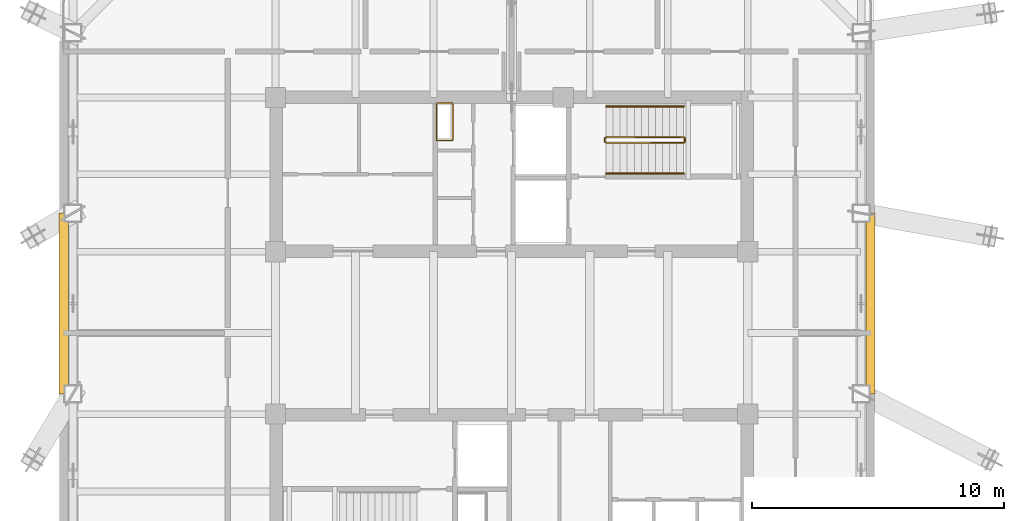
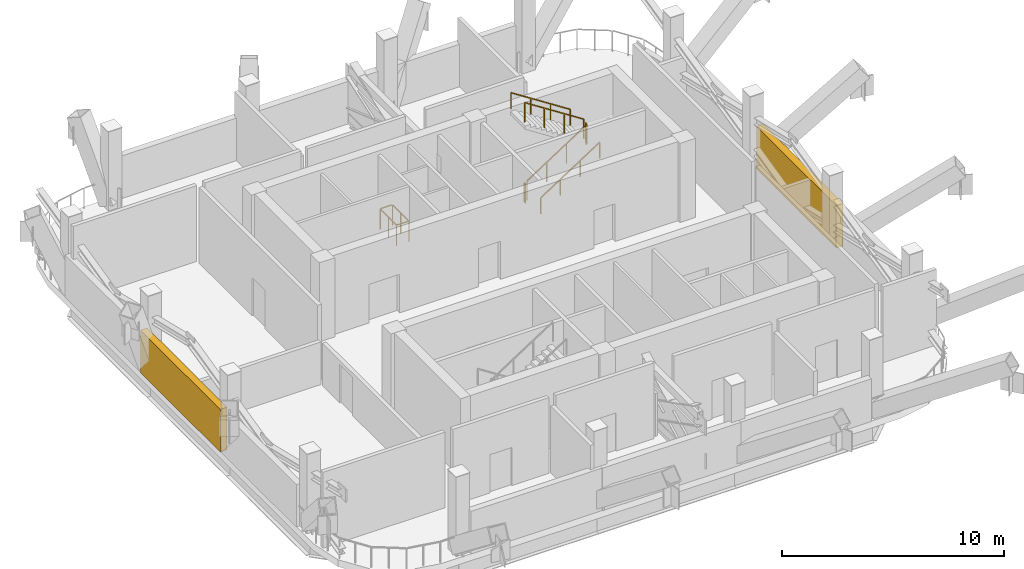
# One storey, part 8 of 9: 7 railings, 2 shading devices.
"""IFC4 building model written with IfcOpenShell, lengths in metres."""

import ifcopenshell
import ifcopenshell.guid

model = None  # the IFC model being written
_history = None  # IfcOwnerHistory: only IFC2X3 demands one
_inside = {}  # id of a spatial element -> (the spatial element, [elements in it])
_under = {}  # id of a project, library or spatial element -> (it, [spatial elements below it])
_declared = {}  # id of a project -> (the project, [libraries it declares])
_typed = {}  # id of a type object -> (the type object, [elements of that type])
_made_of = {}  # id of a material, layer set ... -> (it, [elements and type objects made of it])


def new_model(schema):
    """Start an empty IFC model of exactly this schema.

    Asked for "IFC4X3", IfcOpenShell would pick the latest addendum, in which some entities
    have other attributes; the version numbers below select the first issue.
    IFC2X3 requires an IfcOwnerHistory on every rooted entity: one is made here for all.
    """
    global model, _history
    if schema == "IFC4X3":
        model = ifcopenshell.file(schema_version=(4, 3, 0, 0))
    else:
        model = ifcopenshell.file(schema=schema)
    _inside.clear()
    _under.clear()
    _declared.clear()
    _typed.clear()
    _made_of.clear()
    _history = None
    if model.schema == "IFC2X3":
        org = make("IfcOrganization", Name="unknown")
        user = make(
            "IfcPersonAndOrganization",
            ThePerson=make("IfcPerson", FamilyName="unknown"),
            TheOrganization=org,
        )
        app = make(
            "IfcApplication",
            ApplicationDeveloper=org,
            Version="unknown",
            ApplicationFullName="unknown",
            ApplicationIdentifier="unknown",
        )
        _history = make(
            "IfcOwnerHistory",
            OwningUser=user,
            OwningApplication=app,
            ChangeAction="ADDED",
            CreationDate=0,
        )
    return model


def make(cls, **values):
    """One entity of the class cls with the attributes given. An attribute that is None is left unset."""
    return model.create_entity(
        cls, **{name: value for name, value in values.items() if value is not None}
    )


def rooted(cls, **values):
    """An entity with a GlobalId (a new one), such as an element, a storey or a relation."""
    return make(cls, GlobalId=ifcopenshell.guid.new(), OwnerHistory=_history, **values)


def si_unit(unit_type, name, prefix=None):
    """IfcSIUnit, for example si_unit("LENGTHUNIT", "METRE", prefix="MILLI")."""
    return make("IfcSIUnit", UnitType=unit_type, Prefix=prefix, Name=name)


def assignment(units):
    """IfcUnitAssignment: the units of a project."""
    return None if units is None else make("IfcUnitAssignment", Units=units)


def point(xyz):
    """IfcCartesianPoint."""
    return None if xyz is None else make("IfcCartesianPoint", Coordinates=xyz)


def direction(xyz):
    """IfcDirection."""
    return None if xyz is None else make("IfcDirection", DirectionRatios=xyz)


def frame(location, z_axis=None, x_axis=None):
    """IfcAxis2Placement3D, a coordinate frame: its origin and axes. An axis left out is left unset."""
    return make(
        "IfcAxis2Placement3D",
        Location=point(location),
        Axis=direction(z_axis),
        RefDirection=direction(x_axis),
    )


def frame_2d(location, x_axis=None):
    """IfcAxis2Placement2D, a coordinate frame in the plane: its origin and x axis."""
    return make(
        "IfcAxis2Placement2D", Location=point(location), RefDirection=direction(x_axis)
    )


def origin():
    """The frame at (0, 0, 0) with its axes left unset."""
    return frame((0.0, 0.0, 0.0))


def origin_2d():
    """The frame at (0, 0) in the plane with its x axis left unset."""
    return frame_2d((0.0, 0.0))


def place(relative_to, where):
    """IfcLocalPlacement: puts the frame where relative to a parent placement (None: the world)."""
    return make(
        "IfcLocalPlacement", PlacementRelTo=relative_to, RelativePlacement=where
    )


def context(
    kind, dimensions, precision=None, world=None, true_north=None, identifier=None
):
    """IfcGeometricRepresentationContext, for example the 3D "Model" context."""
    return make(
        "IfcGeometricRepresentationContext",
        ContextIdentifier=identifier,
        ContextType=kind,
        CoordinateSpaceDimension=dimensions,
        Precision=precision,
        WorldCoordinateSystem=world,
        TrueNorth=true_north,
    )


def subcontext(parent, identifier, kind, view, scale=None):
    """IfcGeometricRepresentationSubContext, for example "Body" below "Model"."""
    return make(
        "IfcGeometricRepresentationSubContext",
        ContextIdentifier=identifier,
        ContextType=kind,
        ParentContext=parent,
        TargetScale=scale,
        TargetView=view,
    )


def project(units=None, contexts=None):
    """IfcProject with its units and contexts."""
    return rooted(
        "IfcProject",
        Name="project",
        RepresentationContexts=contexts,
        UnitsInContext=assignment(units),
    )


def spatial(cls, under=None, at=None, **own):
    """A site, building, storey or space (cls), placed at a placement, below another one or the project."""
    s = rooted(cls, ObjectPlacement=at, **own)
    if under is not None:
        _under.setdefault(under.id(), (under, []))[1].append(s)
    return s


def profile(cls, at=None, kind="AREA", **sizes):
    """A parametric profile (cls). Its sizes go by their IFC names, for example OverallWidth=200.0."""
    return make(cls, ProfileType=kind, Position=at, **sizes)


def rectangle(**sizes):
    """IfcRectangleProfileDef."""
    return profile("IfcRectangleProfileDef", **sizes)


def extrude(swept, where, along, depth):
    """IfcExtrudedAreaSolid: the profile swept, set in the frame where, extruded along a direction by depth."""
    return make(
        "IfcExtrudedAreaSolid",
        SweptArea=swept,
        Position=where,
        ExtrudedDirection=direction(along),
        Depth=depth,
    )


def shape(context_of_items, identifier, shape_type, items):
    """IfcShapeRepresentation: the items that make up one representation, for example the "Body"."""
    return make(
        "IfcShapeRepresentation",
        ContextOfItems=context_of_items,
        RepresentationIdentifier=identifier,
        RepresentationType=shape_type,
        Items=items,
    )


def material(Name=None, Category=None):
    """IfcMaterial."""
    return make("IfcMaterial", Name=Name, Category=Category)


def made_of(thing, what):
    """Note that an element or type object is made of a material, layer set ...; save() writes the relation."""
    if what is not None:
        _made_of.setdefault(what.id(), (what, []))[1].append(thing)
    return thing


def type_object(cls, material=None, **own):
    """A type object (cls), such as IfcWallType, which elements share."""
    return made_of(rooted(cls, **own), material)


def element(
    cls,
    number,
    at=None,
    inside=None,
    cuts=None,
    type_object=None,
    material=None,
    context=None,
    identifier="Body",
    shape_type=None,
    held_by="IfcProductDefinitionShape",
    body=None,
    shapes=None,
    **own,
):
    """One element of the class cls, such as IfcWall. Its Tag is "e" and its number.

    at: its placement. inside: the storey or other place that contains it. cuts: it is an
    opening in that element (IfcRelVoidsElement). A single representation is given by context,
    identifier, shape_type and body (its items); several are given by shapes. held_by: the class
    of the entity that holds the representations. save() writes the other relations.
    """
    e = rooted(cls, Tag="e%d" % number, ObjectPlacement=at, **own)
    if body is not None:
        shapes = [shape(context, identifier, shape_type, body)]
    if shapes is not None:
        e.Representation = make(held_by, Representations=shapes)
    if inside is not None:
        _inside.setdefault(inside.id(), (inside, []))[1].append(e)
    if cuts is not None:
        rooted(
            "IfcRelVoidsElement", RelatingBuildingElement=cuts, RelatedOpeningElement=e
        )
    if type_object is not None:
        _typed.setdefault(type_object.id(), (type_object, []))[1].append(e)
    return made_of(e, material)


def aggregate(whole, parts):
    """IfcRelAggregates: a whole, such as a stair, and the parts it consists of."""
    return rooted("IfcRelAggregates", RelatingObject=whole, RelatedObjects=parts)


def save(model, path):
    """Write the relations noted so far, then the file.

    IfcRelAggregates (storeys below a building ...), IfcRelContainedInSpatialStructure (elements
    in a storey), IfcRelDefinesByType, IfcRelAssociatesMaterial and IfcRelDeclares: one each for
    every whole, place, type object, material and project.
    """
    for whole, parts in _under.values():
        aggregate(whole, parts)
    for where, things in _inside.values():
        rooted(
            "IfcRelContainedInSpatialStructure",
            RelatedElements=things,
            RelatingStructure=where,
        )
    for kind, things in _typed.values():
        rooted("IfcRelDefinesByType", RelatedObjects=things, RelatingType=kind)
    for what, things in _made_of.values():
        rooted("IfcRelAssociatesMaterial", RelatedObjects=things, RelatingMaterial=what)
    for by, libraries in _declared.values():
        rooted("IfcRelDeclares", RelatingContext=by, RelatedDefinitions=libraries)
    model.write(path)


model = new_model("IFC4")

# Units and contexts
model_context = context("Model", 3, precision=1e-05, world=origin(), true_north=direction((0.0, 1.0)))
body_context = subcontext(model_context, "Body", "Model", "MODEL_VIEW")
ifc_project = project(units=[si_unit("LENGTHUNIT", "METRE"), si_unit("AREAUNIT", "SQUARE_METRE"), si_unit("VOLUMEUNIT", "CUBIC_METRE"), si_unit("PLANEANGLEUNIT", "RADIAN"), si_unit("MASSUNIT", "GRAM", prefix="KILO")], contexts=[model_context])

# Site, building, storey
site_placement = place(None, origin())
site = spatial("IfcSite", under=ifc_project, at=site_placement, CompositionType="ELEMENT")
building_placement = place(site_placement, origin())
building = spatial("IfcBuilding", under=site, at=building_placement, Name="Qhalaya Broadcast Tower", CompositionType="ELEMENT")
storey_placement = place(building_placement, frame((0.0, 0.0, 195.14990234375)))
storey = spatial("IfcBuildingStorey", under=building, at=storey_placement, Name="L57", CompositionType="ELEMENT", Elevation=195.14990234375)

# Shading devices
ifc_material_1 = material(Name="Fired Architectural Terracotta", Category="masonry")
shading_device_type = type_object("IfcShadingDeviceType", Name="Plant & Turbine-Slot Acoustic Louvre Screen LVS-01", PredefinedType="USERDEFINED", material=ifc_material_1)
for number, where, z_axis, x_axis, name in (
    (1, (14.239990234375, 1.77001953125, 0.0), (0.0, 0.0, 1.0), (0.0, -1.0, 0.0), "L57 Plant Acoustic Louvre Screen E"),
    (2, (-17.780029296875, 1.77001953125, 0.0), (0.0, 0.0, 1.0), (0.0, 1.0, 0.0), "L57 Plant Acoustic Louvre Screen W"),
):
    element("IfcShadingDevice", number, at=place(storey_placement, frame(where, z_axis=z_axis, x_axis=x_axis)), inside=storey, type_object=shading_device_type, Name=name, ObjectType="LOUVRE", PredefinedType="USERDEFINED", context=body_context, shape_type="SweptSolid", body=[
        extrude(rectangle(XDim=7.199951171875, YDim=0.360107421875, at=origin_2d()), origin(), (0.0, 0.0, 1.0), 2.340087890625),
    ])

# Railings
ifc_material_2 = material(Name="Powder-Coated Galvanised Steel", Category="steel")
railing_type_1 = type_object("IfcRailingType", Name="Stair Wall Handrail 900", PredefinedType="HANDRAIL", material=ifc_material_2)
railing_1_placement = place(storey_placement, frame((3.75, 6.929931640625, 0.181396484375)))
element("IfcRailing", 3, at=railing_1_placement, inside=storey, type_object=railing_type_1, Name="L57 ST-1 Stair Handrail 1", PredefinedType="HANDRAIL", context=body_context, shape_type="SweptSolid", body=[
    extrude(rectangle(XDim=0.048095703125, YDim=0.048095703125, at=origin_2d()), frame((0.0, 0.0, 0.8759765625), z_axis=(0.839488025565, 0.0, 0.543378187759), x_axis=(0.0, 1.0, 0.0)), (0.0, 0.0, 1.0), 3.6689453125),
    extrude(rectangle(XDim=0.0419921875, YDim=0.0419921875, at=origin_2d()), origin(), (0.0, 0.0, 1.0), 0.849853515625),
    extrude(rectangle(XDim=0.0419921875, YDim=0.0419921875, at=origin_2d()), frame((1.026611328125, 0.0, 0.66455078125)), (0.0, 0.0, 1.0), 0.849853515625),
    extrude(rectangle(XDim=0.0419921875, YDim=0.0419921875, at=origin_2d()), frame((2.053466796875, 0.0, 1.3291015625)), (0.0, 0.0, 1.0), 0.849853515625),
    extrude(rectangle(XDim=0.0419921875, YDim=0.0419921875, at=origin_2d()), frame((3.080078125, 0.0, 1.99365234375)), (0.0, 0.0, 1.0), 0.849853515625),
])
railing_2_placement = place(storey_placement, frame((6.830078125, 9.590087890625, 2.3564453125)))
element("IfcRailing", 4, at=railing_2_placement, inside=storey, type_object=railing_type_1, Name="L57 ST-1 Stair Handrail 2", PredefinedType="HANDRAIL", context=body_context, shape_type="SweptSolid", body=[
    extrude(rectangle(XDim=0.048095703125, YDim=0.048095703125, at=origin_2d()), frame((0.0, 0.0, 0.8759765625), z_axis=(-0.839488025565, 0.0, 0.543378187759), x_axis=(0.0, -1.0, 0.0)), (0.0, 0.0, 1.0), 3.6689453125),
    extrude(rectangle(XDim=0.0419921875, YDim=0.0419921875, at=origin_2d()), origin(), (0.0, 0.0, 1.0), 0.849853515625),
    extrude(rectangle(XDim=0.0419921875, YDim=0.0419921875, at=origin_2d()), frame((-1.026611328125, 0.0, 0.66455078125)), (0.0, 0.0, 1.0), 0.849853515625),
    extrude(rectangle(XDim=0.0419921875, YDim=0.0419921875, at=origin_2d()), frame((-2.053466796875, 0.0, 1.3291015625)), (0.0, 0.0, 1.0), 0.849853515625),
    extrude(rectangle(XDim=0.0419921875, YDim=0.0419921875, at=origin_2d()), frame((-3.080078125, 0.0, 1.99365234375)), (0.0, 0.0, 1.0), 0.849853515625),
])
railing_type_2 = type_object("IfcRailingType", Name="Stair Well & Landing Guardrail 1100", PredefinedType="GUARDRAIL", material=ifc_material_2)
railing_3_placement = place(storey_placement, frame((-2.340087890625, 8.239990234375, 0.0)))
element("IfcRailing", 5, at=railing_3_placement, inside=storey, type_object=railing_type_2, Name="L57 Service Riser Opening Safety Guard NRSR", PredefinedType="GUARDRAIL", context=body_context, shape_type="SweptSolid", body=[
    extrude(rectangle(XDim=0.048095703125, YDim=0.048095703125, at=origin_2d()), frame((0.0, 0.02880859375, 1.1259765625), z_axis=(0.0, 1.0, 0.0), x_axis=(-1.0, 0.0, 0.0)), (0.0, 0.0, 1.0), 1.42236328125),
    extrude(rectangle(XDim=0.048095703125, YDim=0.048095703125, at=origin_2d()), frame((-0.02880859375, 1.47998046875, 1.1259765625), z_axis=(-1.0, 0.0, 0.0), x_axis=(0.0, -1.0, 0.0)), (0.0, 0.0, 1.0), 0.582275390625),
    extrude(rectangle(XDim=0.048095703125, YDim=0.048095703125, at=origin_2d()), frame((-0.639892578125, 1.451171875, 1.1259765625), z_axis=(0.0, -1.0, 0.0), x_axis=(1.0, 0.0, 0.0)), (0.0, 0.0, 1.0), 1.42236328125),
    extrude(rectangle(XDim=0.048095703125, YDim=0.048095703125, at=origin_2d()), frame((-0.611083984375, 0.0, 1.1259765625), z_axis=(1.0, 0.0, 0.0), x_axis=(0.0, 1.0, 0.0)), (0.0, 0.0, 1.0), 0.582275390625),
    extrude(rectangle(XDim=0.0419921875, YDim=0.0419921875, at=origin_2d()), origin(), (0.0, 0.0, 1.0), 1.099853515625),
    extrude(rectangle(XDim=0.0419921875, YDim=0.0419921875, at=origin_2d()), frame((0.0, 0.739990234375, 0.0)), (0.0, 0.0, 1.0), 1.099853515625),
    extrude(rectangle(XDim=0.0419921875, YDim=0.0419921875, at=origin_2d()), frame((0.0, 1.47998046875, 0.0)), (0.0, 0.0, 1.0), 1.099853515625),
    extrude(rectangle(XDim=0.0419921875, YDim=0.0419921875, at=origin_2d()), frame((-0.639892578125, 1.47998046875, 0.0)), (0.0, 0.0, 1.0), 1.099853515625),
    extrude(rectangle(XDim=0.0419921875, YDim=0.0419921875, at=origin_2d()), frame((-0.639892578125, 0.739990234375, 0.0)), (0.0, 0.0, 1.0), 1.099853515625),
    extrude(rectangle(XDim=0.0419921875, YDim=0.0419921875, at=origin_2d()), frame((-0.639892578125, 0.0, 0.0)), (0.0, 0.0, 1.0), 1.099853515625),
])
railing_4_placement = place(storey_placement, frame((3.75, 8.14990234375, 0.181396484375)))
element("IfcRailing", 6, at=railing_4_placement, inside=storey, type_object=railing_type_2, Name="L57 ST-1 Stair Guard 1", PredefinedType="GUARDRAIL", context=body_context, shape_type="SweptSolid", body=[
    extrude(rectangle(XDim=0.048095703125, YDim=0.048095703125, at=origin_2d()), frame((0.0, 0.0, 1.076171875), z_axis=(0.839488025565, 0.0, 0.543378187759), x_axis=(0.0, 1.0, 0.0)), (0.0, 0.0, 1.0), 3.6689453125),
    extrude(rectangle(XDim=0.0419921875, YDim=0.0419921875, at=origin_2d()), origin(), (0.0, 0.0, 1.0), 1.050048828125),
    extrude(rectangle(XDim=0.0419921875, YDim=0.0419921875, at=origin_2d()), frame((1.026611328125, 0.0, 0.66455078125)), (0.0, 0.0, 1.0), 1.050048828125),
    extrude(rectangle(XDim=0.0419921875, YDim=0.0419921875, at=origin_2d()), frame((2.053466796875, 0.0, 1.3291015625)), (0.0, 0.0, 1.0), 1.050048828125),
    extrude(rectangle(XDim=0.0419921875, YDim=0.0419921875, at=origin_2d()), frame((3.080078125, 0.0, 1.99365234375)), (0.0, 0.0, 1.0), 1.050048828125),
])
railing_5_placement = place(storey_placement, frame((6.8798828125, 8.199951171875, 2.175048828125)))
element("IfcRailing", 7, at=railing_5_placement, inside=storey, type_object=railing_type_2, Name="L57 ST-1 Stair Guard 2", PredefinedType="GUARDRAIL", context=body_context, shape_type="SweptSolid", body=[
    extrude(rectangle(XDim=0.048095703125, YDim=0.048095703125, at=origin_2d()), frame((0.0, 0.0, 1.076171875), z_axis=(0.0, 1.0, 0.0), x_axis=(-1.0, 0.0, 0.0)), (0.0, 0.0, 1.0), 0.1201171875),
    extrude(rectangle(XDim=0.0419921875, YDim=0.0419921875, at=origin_2d()), origin(), (0.0, 0.0, 1.0), 1.050048828125),
    extrude(rectangle(XDim=0.0419921875, YDim=0.0419921875, at=origin_2d()), frame((0.0, 0.1201171875, 0.0)), (0.0, 0.0, 1.0), 1.050048828125),
])
railing_6_placement = place(storey_placement, frame((6.830078125, 8.3701171875, 2.3564453125)))
element("IfcRailing", 8, at=railing_6_placement, inside=storey, type_object=railing_type_2, Name="L57 ST-1 Stair Guard 3", PredefinedType="GUARDRAIL", context=body_context, shape_type="SweptSolid", body=[
    extrude(rectangle(XDim=0.048095703125, YDim=0.048095703125, at=origin_2d()), frame((0.0, 0.0, 1.076171875), z_axis=(-0.839488025565, 0.0, 0.543378187759), x_axis=(0.0, -1.0, 0.0)), (0.0, 0.0, 1.0), 3.6689453125),
    extrude(rectangle(XDim=0.0419921875, YDim=0.0419921875, at=origin_2d()), origin(), (0.0, 0.0, 1.0), 1.050048828125),
    extrude(rectangle(XDim=0.0419921875, YDim=0.0419921875, at=origin_2d()), frame((-1.026611328125, 0.0, 0.66455078125)), (0.0, 0.0, 1.0), 1.050048828125),
    extrude(rectangle(XDim=0.0419921875, YDim=0.0419921875, at=origin_2d()), frame((-2.053466796875, 0.0, 1.3291015625)), (0.0, 0.0, 1.0), 1.050048828125),
    extrude(rectangle(XDim=0.0419921875, YDim=0.0419921875, at=origin_2d()), frame((-3.080078125, 0.0, 1.99365234375)), (0.0, 0.0, 1.0), 1.050048828125),
])
railing_7_placement = place(storey_placement, frame((3.699951171875, 8.199951171875, 0.0)))
element("IfcRailing", 9, at=railing_7_placement, inside=storey, type_object=railing_type_2, Name="L57 ST-1 Stair Guard 4", PredefinedType="GUARDRAIL", context=body_context, shape_type="SweptSolid", body=[
    extrude(rectangle(XDim=0.048095703125, YDim=0.048095703125, at=origin_2d()), frame((0.0, 0.0, 1.076171875), z_axis=(0.0, 1.0, 0.0), x_axis=(-1.0, 0.0, 0.0)), (0.0, 0.0, 1.0), 0.1201171875),
    extrude(rectangle(XDim=0.0419921875, YDim=0.0419921875, at=origin_2d()), origin(), (0.0, 0.0, 1.0), 1.050048828125),
    extrude(rectangle(XDim=0.0419921875, YDim=0.0419921875, at=origin_2d()), frame((0.0, 0.1201171875, 0.0)), (0.0, 0.0, 1.0), 1.050048828125),
])

save(model, "model.ifc")
